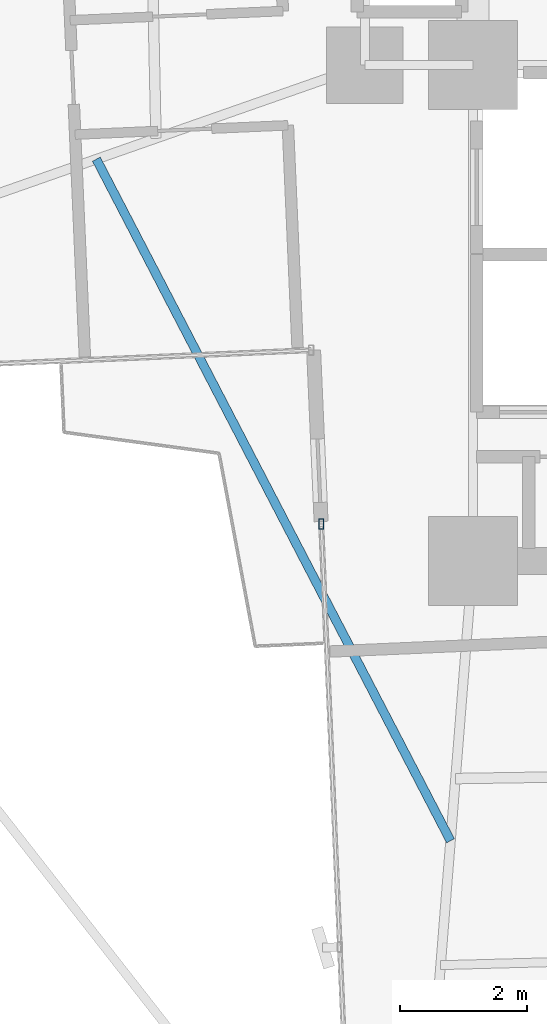
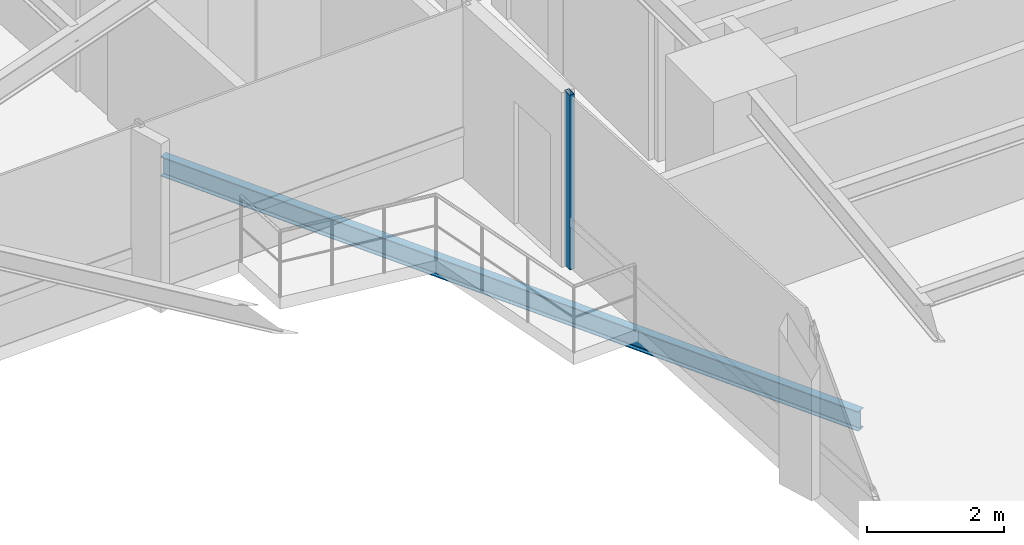
# One storey, part 5 of 26: 1 beam, 1 member, 1 element without a shape of its own.
"""IFC4 building model written with IfcOpenShell, lengths in metres."""

from ifc_helpers import new_model, si_unit, direction, frame, origin, origin_2d, place, context, subcontext, project, spatial, hollow_rectangle, i_section, extrude, source, transform, mapped, material, material_profile, profile_set, type_object, element, aggregate, save


model = new_model("IFC4")

# Units and contexts
model_context = context("Model", 3, precision=1e-05, world=origin(), true_north=direction((0.0, 1.0)))
body_context = subcontext(model_context, "Body", "Model", "MODEL_VIEW")
ifc_project = project(units=[si_unit("LENGTHUNIT", "METRE"), si_unit("AREAUNIT", "SQUARE_METRE"), si_unit("VOLUMEUNIT", "CUBIC_METRE"), si_unit("PLANEANGLEUNIT", "RADIAN"), si_unit("MASSUNIT", "GRAM", prefix="KILO")], contexts=[model_context])

# Site, building, storey
site_placement = place(None, origin())
site = spatial("IfcSite", under=ifc_project, at=site_placement, CompositionType="ELEMENT")
building_placement = place(site_placement, origin())
building = spatial("IfcBuilding", under=site, at=building_placement, Name="Sahyath Konkavel Grand Hotel", CompositionType="ELEMENT")
storey_placement = place(building_placement, frame((0.0, 0.0, 128.199951171875)))
storey = spatial("IfcBuildingStorey", under=building, at=storey_placement, Name="L35", CompositionType="ELEMENT", Elevation=128.199951171875)

# Curtain wall, member
ifc_material_1 = material(Name="Anodised Bronze Aluminium & Low-E Glazing", Category="aluminium")
curtain_wall_type = type_object("IfcCurtainWallType", Name="CW-ZONE2", PredefinedType="NOTDEFINED", material=ifc_material_1)
curtain_wall_placement = place(storey_placement, origin())
curtain_wall = element("IfcCurtainWall", 1, at=curtain_wall_placement, inside=storey, type_object=curtain_wall_type, Name="L35 Unitised Curtain Wall F24", PredefinedType="NOTDEFINED")
ifc_material_2 = material(Name="Anodised Bronze Aluminium", Category="aluminium")
ifc_material_profile_1 = material_profile(ifc_material_2, hollow_rectangle(XDim=0.080078125, YDim=0.159912109375, WallThickness=0.006103515625, at=origin_2d()), Name="RHS 160x80x6")
ifc_profile_set_1 = profile_set([ifc_material_profile_1], Name="Anodised Bronze Aluminium")
member_type = type_object("IfcMemberType", Name="CW-MUL-160", PredefinedType="MULLION", material=ifc_profile_set_1)
shared_shape_1 = source(origin(), body_context, "Body", "SweptSolid", [
    extrude(hollow_rectangle(XDim=0.080078125, YDim=0.159912109375, WallThickness=0.006103515625, at=origin_2d()), origin(), (0.0, 0.0, 1.0), 3.110107421875),
])
member_placement = place(storey_placement, frame((-6.186279296875, -9.618896484375, 0.0), z_axis=(0.0, 0.0, 1.0), x_axis=(1.0, 0.0, 0.0)))
member = element("IfcMember", 2, at=member_placement, type_object=member_type, Name="L35 Curtain Wall Mullion F24-0", PredefinedType="MULLION", context=body_context, shape_type="MappedRepresentation", body=[
    mapped(shared_shape_1, transform((0.0, 0.0, 0.0), scale=1.0)),
])
aggregate(curtain_wall, [member])

# Beam
ifc_material_3 = material(Name="Steel E350", Category="steel")
ifc_material_profile_2 = material_profile(ifc_material_3, i_section(OverallWidth=0.139892578125, OverallDepth=0.35009765625, WebThickness=0.008056640625, FlangeThickness=0.01416015625, FilletRadius=0.013916015625, at=origin_2d()), Name="ISMB 350")
ifc_profile_set_2 = profile_set([ifc_material_profile_2], Name="Steel E350")
beam_type = type_object("IfcBeamType", Name="BM-BALC-CANT", PredefinedType="BEAM", material=ifc_profile_set_2)
shared_shape_2 = source(origin(), body_context, "Body", "SweptSolid", [
    extrude(i_section(OverallWidth=0.139892578125, OverallDepth=0.35009765625, WebThickness=0.008056640625, FlangeThickness=0.01416015625, FilletRadius=0.013916015625, at=origin_2d()), origin(), (0.0, 0.0, 1.0), 12.085205078125),
])
beam_placement = place(storey_placement, frame((-9.7236328125, -3.87890625, -0.4150390625), z_axis=(0.461082384626, -0.887357331962, 0.0), x_axis=(0.887357331962, 0.461082384626, 0.0)))
element("IfcBeam", 3, at=beam_placement, inside=storey, type_object=beam_type, Name="L35 Balcony Cantilever Support Beam SW", PredefinedType="BEAM", context=body_context, shape_type="MappedRepresentation", body=[
    mapped(shared_shape_2, transform((0.0, 0.0, 0.0), scale=1.0)),
])

save(model, "model.ifc")
